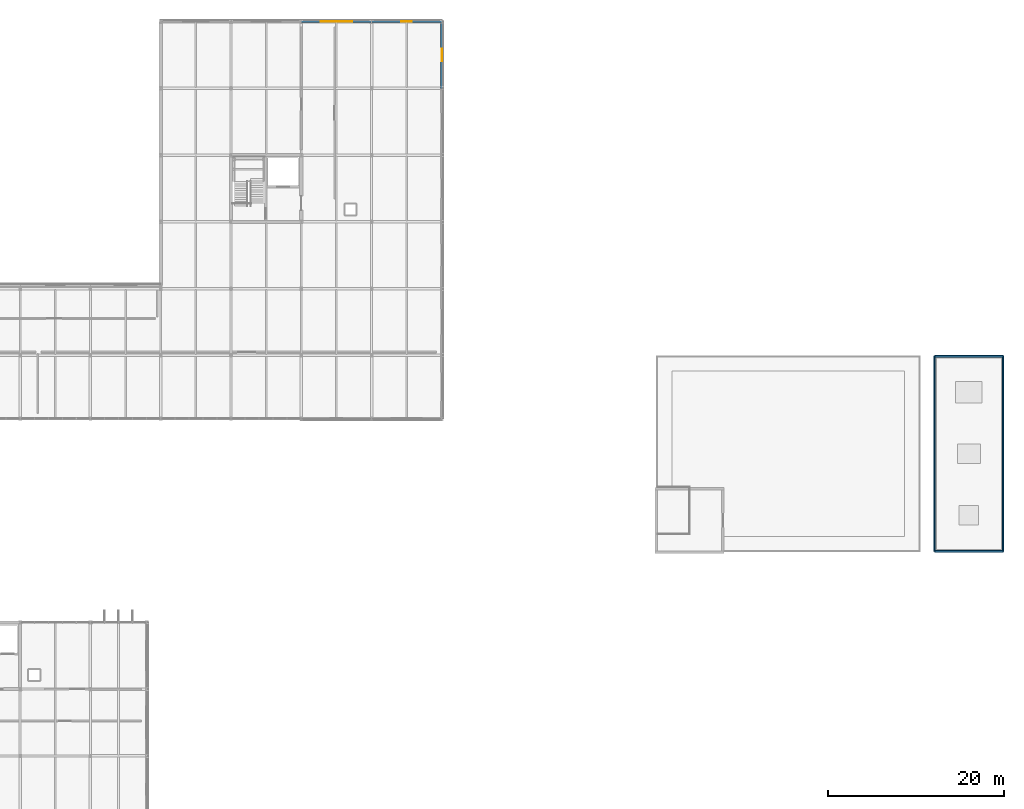
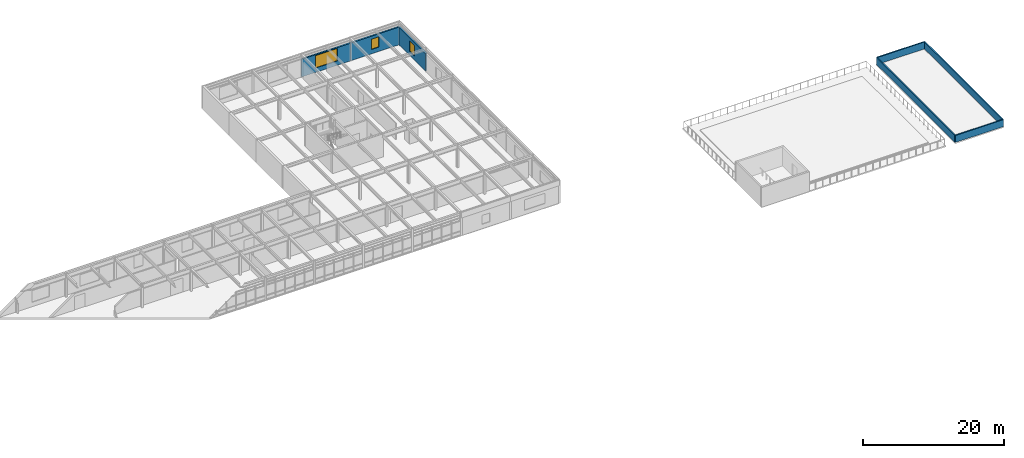
# One storey, part 35 of 45: 7 walls, 3 windows, 3 openings.
"""IFC4 building model written with IfcOpenShell, lengths in metres."""

import ifcopenshell
import ifcopenshell.guid

model = None  # the IFC model being written
_history = None  # IfcOwnerHistory: only IFC2X3 demands one
_inside = {}  # id of a spatial element -> (the spatial element, [elements in it])
_under = {}  # id of a project, library or spatial element -> (it, [spatial elements below it])
_declared = {}  # id of a project -> (the project, [libraries it declares])
_typed = {}  # id of a type object -> (the type object, [elements of that type])
_made_of = {}  # id of a material, layer set ... -> (it, [elements and type objects made of it])


def new_model(schema):
    """Start an empty IFC model of exactly this schema.

    Asked for "IFC4X3", IfcOpenShell would pick the latest addendum, in which some entities
    have other attributes; the version numbers below select the first issue.
    IFC2X3 requires an IfcOwnerHistory on every rooted entity: one is made here for all.
    """
    global model, _history
    if schema == "IFC4X3":
        model = ifcopenshell.file(schema_version=(4, 3, 0, 0))
    else:
        model = ifcopenshell.file(schema=schema)
    _inside.clear()
    _under.clear()
    _declared.clear()
    _typed.clear()
    _made_of.clear()
    _history = None
    if model.schema == "IFC2X3":
        org = make("IfcOrganization", Name="unknown")
        user = make(
            "IfcPersonAndOrganization",
            ThePerson=make("IfcPerson", FamilyName="unknown"),
            TheOrganization=org,
        )
        app = make(
            "IfcApplication",
            ApplicationDeveloper=org,
            Version="unknown",
            ApplicationFullName="unknown",
            ApplicationIdentifier="unknown",
        )
        _history = make(
            "IfcOwnerHistory",
            OwningUser=user,
            OwningApplication=app,
            ChangeAction="ADDED",
            CreationDate=0,
        )
    return model


def make(cls, **values):
    """One entity of the class cls with the attributes given. An attribute that is None is left unset."""
    return model.create_entity(
        cls, **{name: value for name, value in values.items() if value is not None}
    )


def rooted(cls, **values):
    """An entity with a GlobalId (a new one), such as an element, a storey or a relation."""
    return make(cls, GlobalId=ifcopenshell.guid.new(), OwnerHistory=_history, **values)


def si_unit(unit_type, name, prefix=None):
    """IfcSIUnit, for example si_unit("LENGTHUNIT", "METRE", prefix="MILLI")."""
    return make("IfcSIUnit", UnitType=unit_type, Prefix=prefix, Name=name)


def assignment(units):
    """IfcUnitAssignment: the units of a project."""
    return None if units is None else make("IfcUnitAssignment", Units=units)


def point(xyz):
    """IfcCartesianPoint."""
    return None if xyz is None else make("IfcCartesianPoint", Coordinates=xyz)


def direction(xyz):
    """IfcDirection."""
    return None if xyz is None else make("IfcDirection", DirectionRatios=xyz)


def frame(location, z_axis=None, x_axis=None):
    """IfcAxis2Placement3D, a coordinate frame: its origin and axes. An axis left out is left unset."""
    return make(
        "IfcAxis2Placement3D",
        Location=point(location),
        Axis=direction(z_axis),
        RefDirection=direction(x_axis),
    )


def frame_2d(location, x_axis=None):
    """IfcAxis2Placement2D, a coordinate frame in the plane: its origin and x axis."""
    return make(
        "IfcAxis2Placement2D", Location=point(location), RefDirection=direction(x_axis)
    )


def origin():
    """The frame at (0, 0, 0) with its axes left unset."""
    return frame((0.0, 0.0, 0.0))


def place(relative_to, where):
    """IfcLocalPlacement: puts the frame where relative to a parent placement (None: the world)."""
    return make(
        "IfcLocalPlacement", PlacementRelTo=relative_to, RelativePlacement=where
    )


def context(
    kind, dimensions, precision=None, world=None, true_north=None, identifier=None
):
    """IfcGeometricRepresentationContext, for example the 3D "Model" context."""
    return make(
        "IfcGeometricRepresentationContext",
        ContextIdentifier=identifier,
        ContextType=kind,
        CoordinateSpaceDimension=dimensions,
        Precision=precision,
        WorldCoordinateSystem=world,
        TrueNorth=true_north,
    )


def subcontext(parent, identifier, kind, view, scale=None):
    """IfcGeometricRepresentationSubContext, for example "Body" below "Model"."""
    return make(
        "IfcGeometricRepresentationSubContext",
        ContextIdentifier=identifier,
        ContextType=kind,
        ParentContext=parent,
        TargetScale=scale,
        TargetView=view,
    )


def project(units=None, contexts=None):
    """IfcProject with its units and contexts."""
    return rooted(
        "IfcProject",
        Name="project",
        RepresentationContexts=contexts,
        UnitsInContext=assignment(units),
    )


def spatial(cls, under=None, at=None, **own):
    """A site, building, storey or space (cls), placed at a placement, below another one or the project."""
    s = rooted(cls, ObjectPlacement=at, **own)
    if under is not None:
        _under.setdefault(under.id(), (under, []))[1].append(s)
    return s


def profile(cls, at=None, kind="AREA", **sizes):
    """A parametric profile (cls). Its sizes go by their IFC names, for example OverallWidth=200.0."""
    return make(cls, ProfileType=kind, Position=at, **sizes)


def rectangle(**sizes):
    """IfcRectangleProfileDef."""
    return profile("IfcRectangleProfileDef", **sizes)


def extrude(swept, where, along, depth):
    """IfcExtrudedAreaSolid: the profile swept, set in the frame where, extruded along a direction by depth."""
    return make(
        "IfcExtrudedAreaSolid",
        SweptArea=swept,
        Position=where,
        ExtrudedDirection=direction(along),
        Depth=depth,
    )


def shape(context_of_items, identifier, shape_type, items):
    """IfcShapeRepresentation: the items that make up one representation, for example the "Body"."""
    return make(
        "IfcShapeRepresentation",
        ContextOfItems=context_of_items,
        RepresentationIdentifier=identifier,
        RepresentationType=shape_type,
        Items=items,
    )


def material(Name=None, Category=None):
    """IfcMaterial."""
    return make("IfcMaterial", Name=Name, Category=Category)


def layer(
    of_material, thickness, ventilated=None, Name=None, Category=None, Priority=None
):
    """IfcMaterialLayer: one layer of a wall or slab, of a material (None: an air gap)."""
    return make(
        "IfcMaterialLayer",
        Material=of_material,
        LayerThickness=thickness,
        IsVentilated=ventilated,
        Name=Name,
        Category=Category,
        Priority=Priority,
    )


def layer_set(layers, Name=None):
    """IfcMaterialLayerSet."""
    return make("IfcMaterialLayerSet", MaterialLayers=layers, LayerSetName=Name)


def made_of(thing, what):
    """Note that an element or type object is made of a material, layer set ...; save() writes the relation."""
    if what is not None:
        _made_of.setdefault(what.id(), (what, []))[1].append(thing)
    return thing


def type_object(cls, material=None, **own):
    """A type object (cls), such as IfcWallType, which elements share."""
    return made_of(rooted(cls, **own), material)


def element(
    cls,
    number,
    at=None,
    inside=None,
    cuts=None,
    type_object=None,
    material=None,
    context=None,
    identifier="Body",
    shape_type=None,
    held_by="IfcProductDefinitionShape",
    body=None,
    shapes=None,
    **own,
):
    """One element of the class cls, such as IfcWall. Its Tag is "e" and its number.

    at: its placement. inside: the storey or other place that contains it. cuts: it is an
    opening in that element (IfcRelVoidsElement). A single representation is given by context,
    identifier, shape_type and body (its items); several are given by shapes. held_by: the class
    of the entity that holds the representations. save() writes the other relations.
    """
    e = rooted(cls, Tag="e%d" % number, ObjectPlacement=at, **own)
    if body is not None:
        shapes = [shape(context, identifier, shape_type, body)]
    if shapes is not None:
        e.Representation = make(held_by, Representations=shapes)
    if inside is not None:
        _inside.setdefault(inside.id(), (inside, []))[1].append(e)
    if cuts is not None:
        rooted(
            "IfcRelVoidsElement", RelatingBuildingElement=cuts, RelatedOpeningElement=e
        )
    if type_object is not None:
        _typed.setdefault(type_object.id(), (type_object, []))[1].append(e)
    return made_of(e, material)


def fill(opening, filler):
    """IfcRelFillsElement: the door or window that sits in an opening."""
    return rooted(
        "IfcRelFillsElement",
        RelatingOpeningElement=opening,
        RelatedBuildingElement=filler,
    )


def aggregate(whole, parts):
    """IfcRelAggregates: a whole, such as a stair, and the parts it consists of."""
    return rooted("IfcRelAggregates", RelatingObject=whole, RelatedObjects=parts)


def save(model, path):
    """Write the relations noted so far, then the file.

    IfcRelAggregates (storeys below a building ...), IfcRelContainedInSpatialStructure (elements
    in a storey), IfcRelDefinesByType, IfcRelAssociatesMaterial and IfcRelDeclares: one each for
    every whole, place, type object, material and project.
    """
    for whole, parts in _under.values():
        aggregate(whole, parts)
    for where, things in _inside.values():
        rooted(
            "IfcRelContainedInSpatialStructure",
            RelatedElements=things,
            RelatingStructure=where,
        )
    for kind, things in _typed.values():
        rooted("IfcRelDefinesByType", RelatedObjects=things, RelatingType=kind)
    for what, things in _made_of.values():
        rooted("IfcRelAssociatesMaterial", RelatedObjects=things, RelatingMaterial=what)
    for by, libraries in _declared.values():
        rooted("IfcRelDeclares", RelatingContext=by, RelatedDefinitions=libraries)
    model.write(path)


model = new_model("IFC4")

# Units and contexts
model_context = context("Model", 3, precision=1e-05, world=origin(), true_north=direction((0.0, 1.0)))
body_context = subcontext(model_context, "Body", "Model", "MODEL_VIEW")
ifc_project = project(units=[si_unit("LENGTHUNIT", "METRE"), si_unit("AREAUNIT", "SQUARE_METRE"), si_unit("VOLUMEUNIT", "CUBIC_METRE"), si_unit("PLANEANGLEUNIT", "RADIAN"), si_unit("MASSUNIT", "GRAM", prefix="KILO")], contexts=[model_context])

# Site, building, storey
site_placement = place(None, origin())
site = spatial("IfcSite", under=ifc_project, at=site_placement, CompositionType="ELEMENT")
building_placement = place(site_placement, origin())
building = spatial("IfcBuilding", under=site, at=building_placement, Name="Zulena Civic Courthouse", CompositionType="ELEMENT")
storey_placement = place(building_placement, frame((0.0, 0.0, 29.39990234375)))
storey = spatial("IfcBuildingStorey", under=building, at=storey_placement, Name="L06", CompositionType="ELEMENT", Elevation=29.39990234375)

# Wall, opening, window
ifc_material_1 = material(Name="Buff architectural precast concrete C40/50", Category="concrete")
ifc_layer_1 = layer(ifc_material_1, 0.264892578125)
ifc_layer_set_1 = layer_set([ifc_layer_1], Name="Buff architectural precast concrete C40/50")
wall_type_1 = type_object("IfcWallType", Name="ExtWall_BuffPrecast_265", PredefinedType="STANDARD", material=ifc_layer_set_1)
wall_1_placement = place(storey_placement, frame((83.97998046875, 91.199951171875, 0.0), z_axis=(0.0, 0.0, 1.0), x_axis=(1.0, 0.0, 0.0)))
wall_1 = element("IfcWall", 1, at=wall_1_placement, inside=storey, type_object=wall_type_1, Name="ewall:V5:L06:3:2", PredefinedType="STANDARD", context=body_context, shape_type="SweptSolid", body=[
    extrude(rectangle(XDim=8.0400390625, YDim=0.264892578125, at=frame_2d((4.02001953125, 0.0))), origin(), (0.0, 0.0, 1.0), 3.06005859375),
])
opening_1_placement = place(wall_1_placement, frame((2.219970703125, 0.0, 0.75)))
opening_1 = element("IfcOpeningElement", 2, at=opening_1_placement, cuts=wall_1, Name="Opening WN15", PredefinedType="OPENING", context=body_context, shape_type="SweptSolid", body=[
    extrude(rectangle(XDim=3.60009765625, YDim=2.14990234375, at=frame_2d((1.800048828125, 1.074951171875))), frame((0.0, 0.142333984375, 0.0), z_axis=(0.0, -1.0, 0.0), x_axis=(1.0, 0.0, 0.0)), (0.0, 0.0, 1.0), 0.284912109375),
])
ifc_material_2 = material(Name="Double-silver low-E laminated solar-control glass", Category="glass")
window_type_1 = type_object("IfcWindowType", Name="Win_3600x2150", PartitioningType="DOUBLE_PANEL_VERTICAL", PredefinedType="WINDOW", material=ifc_material_2)
window_1_placement = place(opening_1_placement, origin())
window_1 = element("IfcWindow", 3, at=window_1_placement, inside=storey, type_object=window_type_1, Name="win:V5:L06:3:2", OverallHeight=2.14990234375, OverallWidth=3.60009765625, PartitioningType="SINGLE_PANEL", PredefinedType="WINDOW", context=body_context, shape_type="SweptSolid", body=[
    extrude(rectangle(XDim=3.60009765625, YDim=2.14990234375, at=frame_2d((1.800048828125, 1.074951171875))), frame((0.0, 0.030029296875, 0.0), z_axis=(0.0, -1.0, 0.0), x_axis=(1.0, 0.0, 0.0)), (0.0, 0.0, 1.0), 0.06005859375),
])
fill(opening_1, window_1)

wall_2_placement = place(storey_placement, frame((91.97998046875, 91.199951171875, 0.0), z_axis=(0.0, 0.0, 1.0), x_axis=(1.0, 0.0, 0.0)))
wall_2 = element("IfcWall", 4, at=wall_2_placement, inside=storey, type_object=wall_type_1, Name="ewall:V5:L06:3:3", PredefinedType="STANDARD", context=body_context, shape_type="SweptSolid", body=[
    extrude(rectangle(XDim=8.0400390625, YDim=0.264892578125, at=frame_2d((4.02001953125, 0.0))), origin(), (0.0, 0.0, 1.0), 3.06005859375),
])
opening_2_placement = place(wall_2_placement, frame((3.419921875, 0.0, 0.75)))
opening_2 = element("IfcOpeningElement", 5, at=opening_2_placement, cuts=wall_2, Name="Opening WN16", PredefinedType="OPENING", context=body_context, shape_type="SweptSolid", body=[
    extrude(rectangle(XDim=1.199951171875, YDim=1.800048828125, at=frame_2d((0.60009765625, 0.89990234375))), frame((0.0, 0.142333984375, 0.0), z_axis=(0.0, -1.0, 0.0), x_axis=(1.0, 0.0, 0.0)), (0.0, 0.0, 1.0), 0.284912109375),
])
window_type_2 = type_object("IfcWindowType", Name="Win_1200x1800", PartitioningType="SINGLE_PANEL", PredefinedType="WINDOW", material=ifc_material_2)
window_2_placement = place(opening_2_placement, origin())
window_2 = element("IfcWindow", 6, at=window_2_placement, inside=storey, type_object=window_type_2, Name="win:V5:L06:3:3", OverallHeight=1.800048828125, OverallWidth=1.199951171875, PartitioningType="SINGLE_PANEL", PredefinedType="WINDOW", context=body_context, shape_type="SweptSolid", body=[
    extrude(rectangle(XDim=1.199951171875, YDim=1.800048828125, at=frame_2d((0.60009765625, 0.89990234375))), frame((0.0, 0.030029296875, 0.0), z_axis=(0.0, -1.0, 0.0), x_axis=(1.0, 0.0, 0.0)), (0.0, 0.0, 1.0), 0.06005859375),
])
fill(opening_2, window_2)

wall_3_placement = place(storey_placement, frame((100.0, 91.219970703125, 0.0), z_axis=(0.0, 0.0, 1.0), x_axis=(0.0, -1.0, 0.0)))
wall_3 = element("IfcWall", 7, at=wall_3_placement, inside=storey, type_object=wall_type_1, Name="ewall:V5:L06:4:0", PredefinedType="STANDARD", context=body_context, shape_type="SweptSolid", body=[
    extrude(rectangle(XDim=7.639892578125, YDim=0.264892578125, at=frame_2d((3.81982421875, 0.0))), origin(), (0.0, 0.0, 1.0), 3.06005859375),
])
opening_3_placement = place(wall_3_placement, frame((3.094970703125, 0.0, 0.75)))
opening_3 = element("IfcOpeningElement", 8, at=opening_3_placement, cuts=wall_3, Name="Opening WN17", PredefinedType="OPENING", context=body_context, shape_type="SweptSolid", body=[
    extrude(rectangle(XDim=1.449951171875, YDim=1.800048828125, at=frame_2d((0.72509765625, 0.89990234375))), frame((0.0, 0.142333984375, 0.0), z_axis=(0.0, -1.0, 0.0), x_axis=(1.0, 0.0, 0.0)), (0.0, 0.0, 1.0), 0.284912109375),
])
window_type_3 = type_object("IfcWindowType", Name="Win_1450x1800", PartitioningType="SINGLE_PANEL", PredefinedType="WINDOW", material=ifc_material_2)
window_3_placement = place(opening_3_placement, origin())
window_3 = element("IfcWindow", 9, at=window_3_placement, inside=storey, type_object=window_type_3, Name="win:V5:L06:4:0", OverallHeight=1.800048828125, OverallWidth=1.449951171875, PartitioningType="SINGLE_PANEL", PredefinedType="WINDOW", context=body_context, shape_type="SweptSolid", body=[
    extrude(rectangle(XDim=1.449951171875, YDim=1.800048828125, at=frame_2d((0.72509765625, 0.89990234375))), frame((0.0, 0.030029296875, 0.0), z_axis=(0.0, -1.0, 0.0), x_axis=(1.0, 0.0, 0.0)), (0.0, 0.0, 1.0), 0.06005859375),
])
fill(opening_3, window_3)

# Walls
ifc_material_3 = material(Name="Travertine-cream architectural precast concrete C40/50", Category="masonry")
ifc_layer_2 = layer(ifc_material_3, 0.18994140625)
ifc_layer_set_2 = layer_set([ifc_layer_2], Name="Travertine-cream architectural precast concrete C40/50")
wall_type_2 = type_object("IfcWallType", Name="Parapet_Trav_190", PredefinedType="PARAPET", material=ifc_layer_set_2)
wall_4_placement = place(storey_placement, frame((156.10009765625, 30.89990234375, 0.0), z_axis=(0.0, 0.0, 1.0), x_axis=(1.0, 0.0, 0.0)))
element("IfcWall", 10, at=wall_4_placement, inside=storey, type_object=wall_type_2, Name="parapet:V3:0", PredefinedType="PARAPET", context=body_context, shape_type="SweptSolid", body=[
    extrude(rectangle(XDim=7.7998046875, YDim=0.18994140625, at=frame_2d((3.89990234375, 0.0))), origin(), (0.0, 0.0, 1.0), 1.2001953125),
])
wall_5_placement = place(storey_placement, frame((163.89990234375, 30.89990234375, 0.0), z_axis=(0.0, 0.0, 1.0), x_axis=(0.0, 1.0, 0.0)))
element("IfcWall", 11, at=wall_5_placement, inside=storey, type_object=wall_type_2, Name="parapet:V3:1", PredefinedType="PARAPET", context=body_context, shape_type="SweptSolid", body=[
    extrude(rectangle(XDim=22.2001953125, YDim=0.18994140625, at=frame_2d((11.10009765625, 0.0))), origin(), (0.0, 0.0, 1.0), 1.2001953125),
])
wall_6_placement = place(storey_placement, frame((163.89990234375, 53.10009765625, 0.0), z_axis=(0.0, 0.0, 1.0), x_axis=(-1.0, 0.0, 0.0)))
element("IfcWall", 12, at=wall_6_placement, inside=storey, type_object=wall_type_2, Name="parapet:V3:2", PredefinedType="PARAPET", context=body_context, shape_type="SweptSolid", body=[
    extrude(rectangle(XDim=7.7998046875, YDim=0.18994140625, at=frame_2d((3.89990234375, 0.0))), origin(), (0.0, 0.0, 1.0), 1.2001953125),
])
wall_7_placement = place(storey_placement, frame((156.10009765625, 53.10009765625, 0.0), z_axis=(0.0, 0.0, 1.0), x_axis=(0.0, -1.0, 0.0)))
element("IfcWall", 13, at=wall_7_placement, inside=storey, type_object=wall_type_2, Name="parapet:V3:3", PredefinedType="PARAPET", context=body_context, shape_type="SweptSolid", body=[
    extrude(rectangle(XDim=22.2001953125, YDim=0.18994140625, at=frame_2d((11.10009765625, 0.0))), origin(), (0.0, 0.0, 1.0), 1.2001953125),
])

save(model, "model.ifc")
